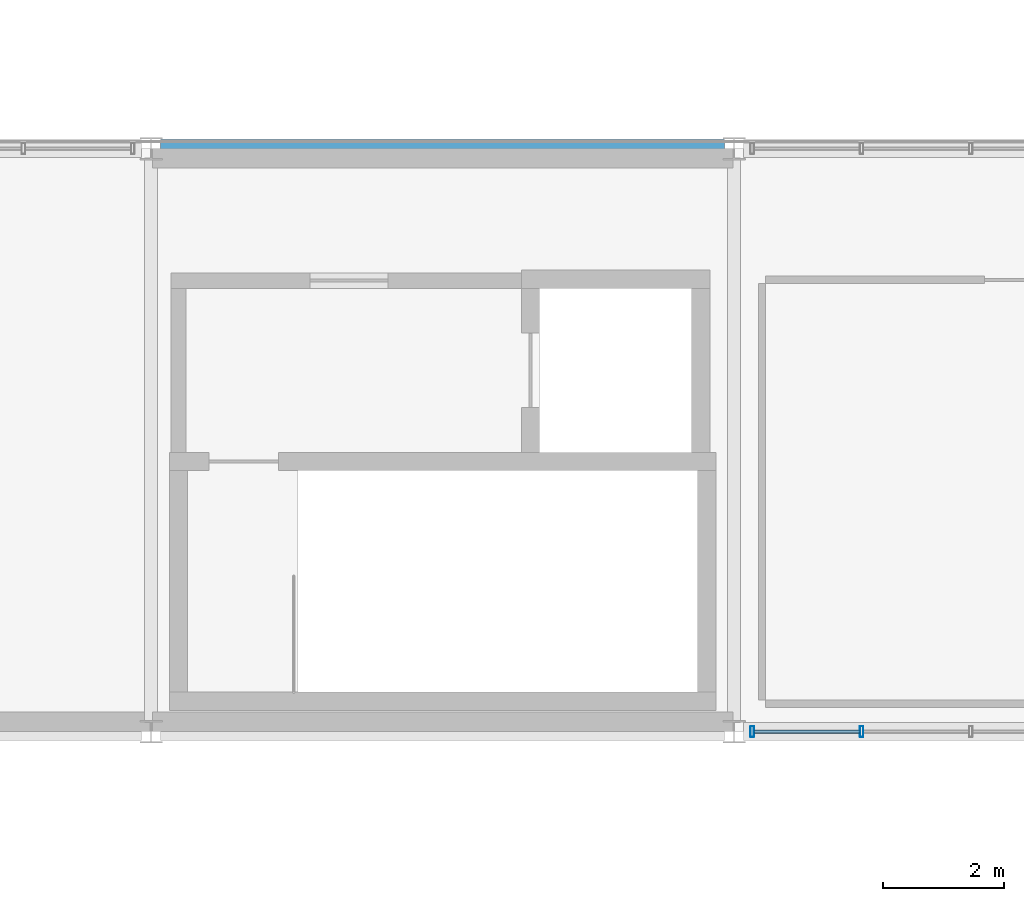
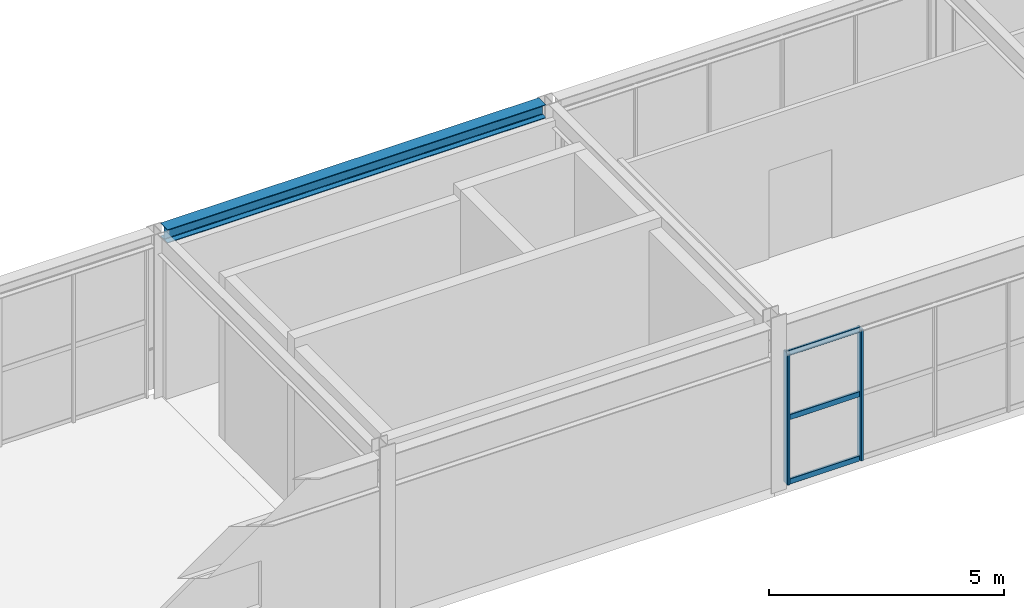
# One storey, part 73 of 170: 5 members, 1 beam, 1 element without a shape of its own.
"""IFC4 building model written with IfcOpenShell, lengths in metres."""

from ifc_helpers import new_model, si_unit, direction, frame, origin, origin_2d, place, context, subcontext, project, spatial, hollow_rectangle, i_section, extrude, material, material_profile, profile_set, type_object, element, aggregate, save


model = new_model("IFC4")

# Units and contexts
model_context = context("Model", 3, precision=1e-05, world=origin(), true_north=direction((0.0, 1.0)))
body_context = subcontext(model_context, "Body", "Model", "MODEL_VIEW")
ifc_project = project(units=[si_unit("LENGTHUNIT", "METRE"), si_unit("AREAUNIT", "SQUARE_METRE"), si_unit("VOLUMEUNIT", "CUBIC_METRE"), si_unit("PLANEANGLEUNIT", "RADIAN"), si_unit("MASSUNIT", "GRAM", prefix="KILO")], contexts=[model_context])

# Site, building, storey
site_placement = place(None, origin())
site = spatial("IfcSite", under=ifc_project, at=site_placement, CompositionType="ELEMENT")
building_placement = place(site_placement, origin())
building = spatial("IfcBuilding", under=site, at=building_placement, Name="Coralgate Yard Interchange", CompositionType="ELEMENT")
storey_placement = place(building_placement, frame((0.0, 0.0, 6.0)))
storey = spatial("IfcBuildingStorey", under=building, at=storey_placement, Name="L01", CompositionType="ELEMENT", Elevation=6.0)

# Beam
ifc_material_1 = material(Name="Structural steel S355J2", Category="steel")
ifc_material_profile_1 = material_profile(ifc_material_1, i_section(OverallWidth=0.300048828125, OverallDepth=0.35009765625, WebThickness=0.010009765625, FlangeThickness=0.017578125, FilletRadius=0.027099609375, at=origin_2d()), Name="HEA 360")
ifc_profile_set_1 = profile_set([ifc_material_profile_1], Name="Structural steel S355J2")
beam_type = type_object("IfcBeamType", Name="BM-SP-1", PredefinedType="SPANDREL", material=ifc_profile_set_1)
beam_placement = place(storey_placement, frame((86.556396484375, 48.0, 4.074951171875), z_axis=(1.0, 0.0, 0.0), x_axis=(0.0, 1.0, 0.0)))
element("IfcBeam", 1, at=beam_placement, inside=storey, type_object=beam_type, Name="L01 primary grid beam Y5 X9-10", PredefinedType="SPANDREL", context=body_context, shape_type="SweptSolid", body=[
    extrude(i_section(OverallWidth=0.300048828125, OverallDepth=0.35009765625, WebThickness=0.010009765625, FlangeThickness=0.017578125, FilletRadius=0.027099609375, at=origin_2d()), origin(), (0.0, 0.0, 1.0), 9.287353515625),
])

# Curtain wall, members
ifc_material_2 = material(Name="Anodised coastal aluminium and solar-control low-E glass", Category="aluminium")
curtain_wall_type = type_object("IfcCurtainWallType", Name="CW-CW-L01-A", PredefinedType="NOTDEFINED", material=ifc_material_2)
curtain_wall_placement = place(storey_placement, origin())
curtain_wall = element("IfcCurtainWall", 2, at=curtain_wall_placement, inside=storey, type_object=curtain_wall_type, Name="L01 unitised curtain wall CW-L01-S-10-04", PredefinedType="NOTDEFINED")
ifc_material_3 = material(Name="Anodised coastal aluminium 6063-T6", Category="aluminium")
ifc_material_profile_2 = material_profile(ifc_material_3, hollow_rectangle(XDim=0.06005859375, YDim=0.179931640625, WallThickness=0.00390625, InnerFilletRadius=0.00390625, OuterFilletRadius=0.008056640625, at=origin_2d()), Name="ALU 60x180x4")
ifc_profile_set_2 = profile_set([ifc_material_profile_2], Name="Anodised coastal aluminium 6063-T6")
member_type_1 = type_object("IfcMemberType", Name="MB-MUL-180", PredefinedType="MULLION", material=ifc_profile_set_2)
member_1_placement = place(storey_placement, frame((98.10009765625, 38.39990234375, 0.0), z_axis=(0.0, 0.0, 1.0), x_axis=(1.0, 0.0, 0.0)))
member_1 = element("IfcMember", 3, at=member_1_placement, type_object=member_type_1, Name="CW-L01-S-10-04 vertical mullion 5", PredefinedType="MULLION", context=body_context, shape_type="SweptSolid", body=[
    extrude(hollow_rectangle(XDim=0.06005859375, YDim=0.179931640625, WallThickness=0.00390625, InnerFilletRadius=0.00390625, OuterFilletRadius=0.008056640625, at=origin_2d()), origin(), (0.0, 0.0, 1.0), 3.4091796875),
])
member_2_placement = place(storey_placement, frame((96.300048828125, 38.39990234375, 0.0), z_axis=(0.0, 0.0, 1.0), x_axis=(1.0, 0.0, 0.0)))
member_2 = element("IfcMember", 4, at=member_2_placement, type_object=member_type_1, Name="CW-L01-S-10-04 vertical mullion 6", PredefinedType="MULLION", context=body_context, shape_type="SweptSolid", body=[
    extrude(hollow_rectangle(XDim=0.06005859375, YDim=0.179931640625, WallThickness=0.00390625, InnerFilletRadius=0.00390625, OuterFilletRadius=0.008056640625, at=origin_2d()), origin(), (0.0, 0.0, 1.0), 3.4091796875),
])
ifc_material_profile_3 = material_profile(ifc_material_3, hollow_rectangle(XDim=0.06005859375, YDim=0.139892578125, WallThickness=0.00341796875, InnerFilletRadius=0.00341796875, OuterFilletRadius=0.007080078125, at=origin_2d()), Name="ALU 60x140x3.5")
ifc_profile_set_3 = profile_set([ifc_material_profile_3], Name="Anodised coastal aluminium 6063-T6")
member_type_2 = type_object("IfcMemberType", Name="MB-TRN-140", PredefinedType="USERDEFINED", material=ifc_profile_set_3)
member_3_placement = place(storey_placement, frame((98.070068359375, 38.39990234375, 0.034912109375), z_axis=(-1.0, 0.0, 0.0), x_axis=(0.0, -1.0, 0.0)))
member_3 = element("IfcMember", 5, at=member_3_placement, type_object=member_type_2, Name="CW-L01-S-10-04 horizontal transom 5-1", ObjectType="TRANSOM", PredefinedType="USERDEFINED", context=body_context, shape_type="SweptSolid", body=[
    extrude(hollow_rectangle(XDim=0.06005859375, YDim=0.139892578125, WallThickness=0.00341796875, InnerFilletRadius=0.00341796875, OuterFilletRadius=0.007080078125, at=origin_2d()), origin(), (0.0, 0.0, 1.0), 1.739990234375),
])
member_4_placement = place(storey_placement, frame((98.070068359375, 38.39990234375, 1.70458984375), z_axis=(-1.0, 0.0, 0.0), x_axis=(0.0, -1.0, 0.0)))
member_4 = element("IfcMember", 6, at=member_4_placement, type_object=member_type_2, Name="CW-L01-S-10-04 horizontal transom 5-2", ObjectType="TRANSOM", PredefinedType="USERDEFINED", context=body_context, shape_type="SweptSolid", body=[
    extrude(hollow_rectangle(XDim=0.06005859375, YDim=0.139892578125, WallThickness=0.00341796875, InnerFilletRadius=0.00341796875, OuterFilletRadius=0.007080078125, at=origin_2d()), origin(), (0.0, 0.0, 1.0), 1.739990234375),
])
member_5_placement = place(storey_placement, frame((98.070068359375, 38.39990234375, 3.374267578125), z_axis=(-1.0, 0.0, 0.0), x_axis=(0.0, -1.0, 0.0)))
member_5 = element("IfcMember", 7, at=member_5_placement, type_object=member_type_2, Name="CW-L01-S-10-04 horizontal transom 5-3", ObjectType="TRANSOM", PredefinedType="USERDEFINED", context=body_context, shape_type="SweptSolid", body=[
    extrude(hollow_rectangle(XDim=0.06005859375, YDim=0.139892578125, WallThickness=0.00341796875, InnerFilletRadius=0.00341796875, OuterFilletRadius=0.007080078125, at=origin_2d()), origin(), (0.0, 0.0, 1.0), 1.739990234375),
])
aggregate(curtain_wall, [member_1, member_2, member_3, member_4, member_5])

save(model, "model.ifc")
